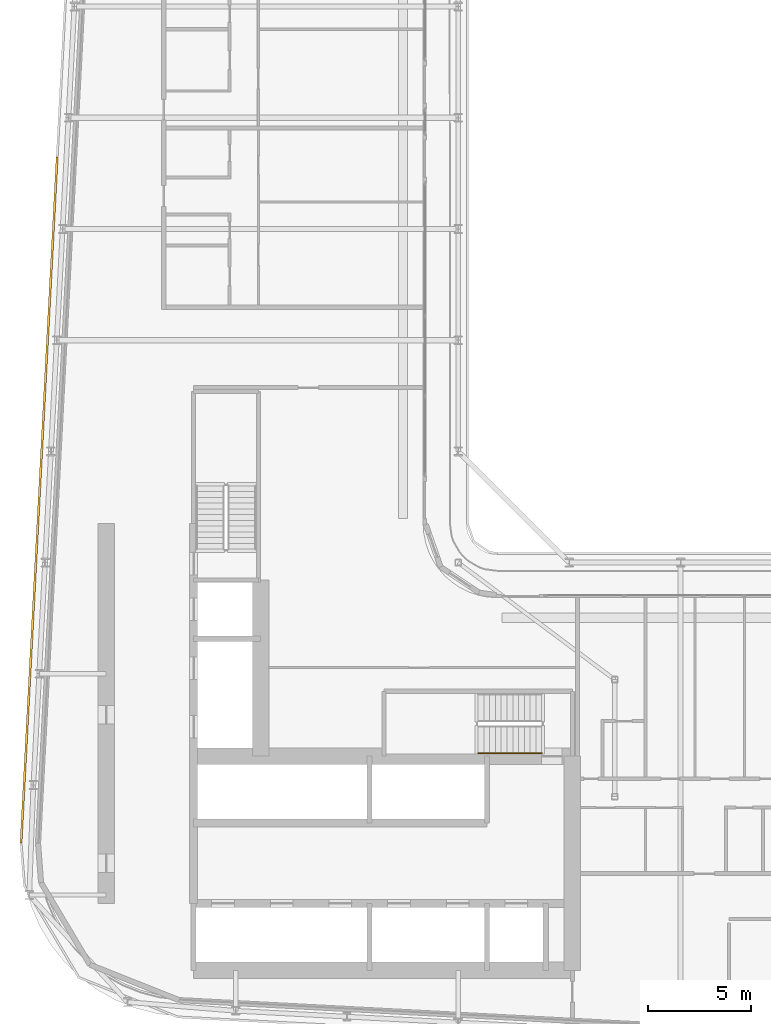
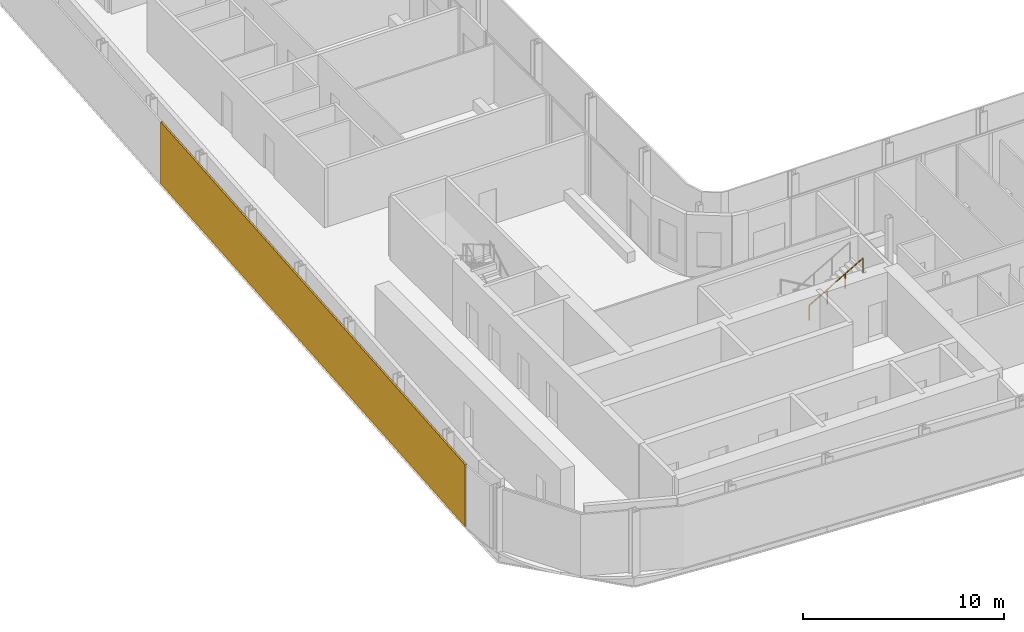
# One storey, part 24 of 30: 1 railing, 1 shading device.
"""IFC4 building model written with IfcOpenShell, lengths in metres."""

from ifc_helpers import new_model, si_unit, direction, frame, origin, origin_2d, place, context, subcontext, project, spatial, rectangle, circle, extrude, material, layer, layer_set, type_object, element, save


model = new_model("IFC4")

# Units and contexts
model_context = context("Model", 3, precision=1e-05, world=origin(), true_north=direction((0.0, 1.0)))
body_context = subcontext(model_context, "Body", "Model", "MODEL_VIEW")
ifc_project = project(units=[si_unit("LENGTHUNIT", "METRE"), si_unit("AREAUNIT", "SQUARE_METRE"), si_unit("VOLUMEUNIT", "CUBIC_METRE"), si_unit("PLANEANGLEUNIT", "RADIAN"), si_unit("MASSUNIT", "GRAM", prefix="KILO")], contexts=[model_context])

# Site, building, storey
site_placement = place(None, origin())
site = spatial("IfcSite", under=ifc_project, at=site_placement, CompositionType="ELEMENT")
building_placement = place(site_placement, origin())
building = spatial("IfcBuilding", under=site, at=building_placement, Name="Kheshtan School and Residences Tower", CompositionType="ELEMENT")
storey_placement = place(building_placement, frame((0.0, 0.0, 195.5)))
storey = spatial("IfcBuildingStorey", under=building, at=storey_placement, Name="L46", CompositionType="ELEMENT", Elevation=195.5)

# Shading device
ifc_material_1 = material(Name="Terracotta baguette, extruded ceramic", Category="masonry")
ifc_layer = layer(ifc_material_1, 0.10009765625)
ifc_layer_set = layer_set([ifc_layer], Name="Ledge screen, terracotta baguettes")
shading_device_type = type_object("IfcShadingDeviceType", Name="Ledge screen, terracotta baguettes", PredefinedType="USERDEFINED", material=ifc_layer_set)
shading_device_placement = place(storey_placement, frame((27.24609375, 48.638916015625, 0.0), z_axis=(0.0, 0.0, 1.0), x_axis=(0.052562536748, 0.998617634398, 0.0)))
element("IfcShadingDevice", 1, at=shading_device_placement, inside=storey, type_object=shading_device_type, Name="Screen L46 4", ObjectType="BAGUETTE", PredefinedType="USERDEFINED", context=body_context, shape_type="SweptSolid", body=[
    extrude(rectangle(XDim=33.341064453125, YDim=0.10009765625, at=origin_2d()), origin(), (0.0, 0.0, 1.0), 3.75),
])

# Railing
ifc_material_2 = material(Name="Stainless steel handrail", Category="steel")
railing_type = type_object("IfcRailingType", Name="Stair handrail 900", PredefinedType="HANDRAIL", material=ifc_material_2)
railing_placement = place(storey_placement, frame((48.570068359375, 36.35009765625, 2.112548828125)))
element("IfcRailing", 2, at=railing_placement, inside=storey, type_object=railing_type, Name="L46 ST1 stair handrail 2", PredefinedType="HANDRAIL", context=body_context, shape_type="SweptSolid", body=[
    extrude(circle(Radius=0.02392578125, at=origin_2d()), frame((0.0, 0.0, 0.8759765625), z_axis=(0.864903211148, 0.0, 0.501938676878), x_axis=(0.0, 1.0, 0.0)), (0.0, 0.0, 1.0), 3.560791015625),
    extrude(circle(Radius=0.02099609375, at=origin_2d()), origin(), (0.0, 0.0, 1.0), 0.851806640625),
    extrude(circle(Radius=0.02099609375, at=origin_2d()), frame((1.026611328125, 0.0, 0.595703125)), (0.0, 0.0, 1.0), 0.851806640625),
    extrude(circle(Radius=0.02099609375, at=origin_2d()), frame((2.05322265625, 0.0, 1.191650390625)), (0.0, 0.0, 1.0), 0.851806640625),
    extrude(circle(Radius=0.02099609375, at=origin_2d()), frame((3.079833984375, 0.0, 1.787353515625)), (0.0, 0.0, 1.0), 0.851806640625),
])

save(model, "model.ifc")
